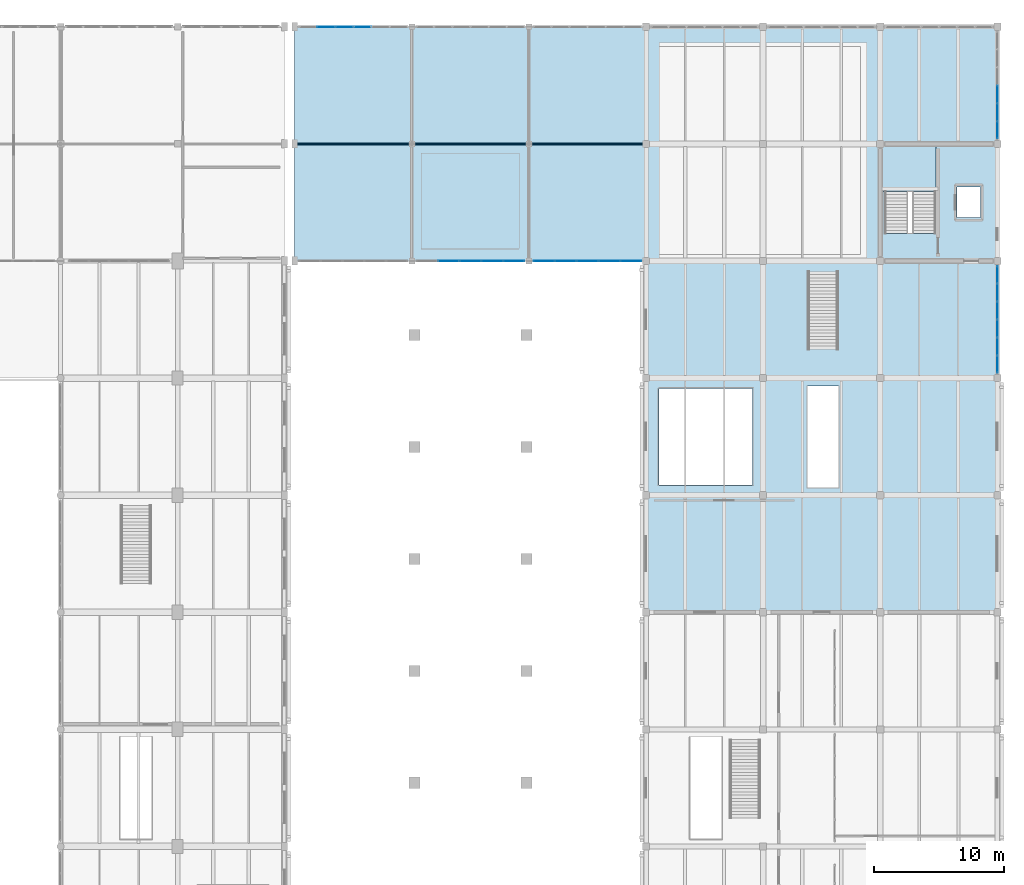
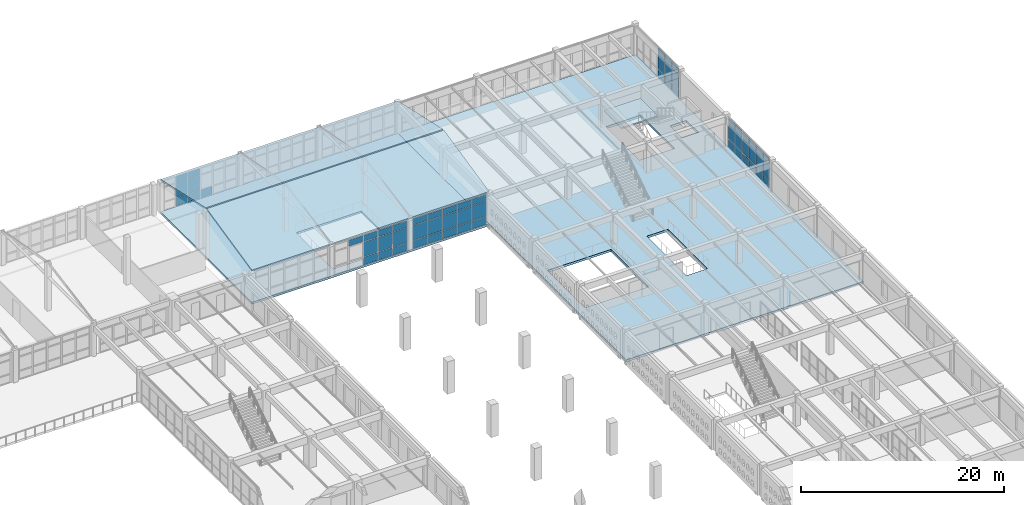
# One storey, part 121 of 156: 59 plates, 5 slabs, 6 elements without a shape of their own.
"""IFC4 building model written with IfcOpenShell, lengths in metres."""

from ifc_helpers import new_model, si_unit, direction, frame, origin, origin_2d, place, context, subcontext, project, spatial, polyline, rectangle, outline, extrude, material, layer, layer_set, type_object, element, aggregate, save


model = new_model("IFC4")

# Units and contexts
model_context = context("Model", 3, precision=1e-05, world=origin(), true_north=direction((0.0, 1.0)))
body_context = subcontext(model_context, "Body", "Model", "MODEL_VIEW")
ifc_project = project(units=[si_unit("LENGTHUNIT", "METRE"), si_unit("AREAUNIT", "SQUARE_METRE"), si_unit("VOLUMEUNIT", "CUBIC_METRE"), si_unit("PLANEANGLEUNIT", "RADIAN"), si_unit("MASSUNIT", "GRAM", prefix="KILO")], contexts=[model_context])

# Site, building, storey
site_placement = place(None, origin())
site = spatial("IfcSite", under=ifc_project, at=site_placement, CompositionType="ELEMENT")
building_placement = place(site_placement, origin())
building = spatial("IfcBuilding", under=site, at=building_placement, Name="Ornek Quay Market", CompositionType="ELEMENT")
storey_placement = place(building_placement, frame((0.0, 0.0, 4.5)))
storey = spatial("IfcBuildingStorey", under=building, at=storey_placement, Name="L01", CompositionType="ELEMENT", Elevation=4.5)

# Curtain wall, plates
ifc_material_1 = material(Name="Anodised bronze aluminium and triple low-e glass", Category="aluminium")
ifc_layer_1 = layer(ifc_material_1, 0.179931640625, Name="Anodised bronze aluminium and triple low-e glass", Category="aluminium")
ifc_layer_set_1 = layer_set([ifc_layer_1], Name="Anodised bronze aluminium and triple low-e glass")
curtain_wall_type_1 = type_object("IfcCurtainWallType", Name="CW-CONC-MOD1500", PredefinedType="USERDEFINED", material=ifc_layer_set_1)
curtain_wall_1_placement = place(storey_placement, origin())
curtain_wall_1 = element("IfcCurtainWall", 1, at=curtain_wall_1_placement, inside=storey, type_object=curtain_wall_type_1, Name="Curtain wall CW-033", ObjectType="CURTAIN WALL", PredefinedType="USERDEFINED")
ifc_material_2 = material(Name="Triple insulated low-e glass", Category="glass")
ifc_layer_2 = layer(ifc_material_2, 0.035888671875, Name="Triple insulated low-e glass", Category="glass")
ifc_layer_set_2 = layer_set([ifc_layer_2], Name="Triple insulated low-e glass")
plate_type_1 = type_object("IfcPlateType", Name="PL-CW-TRIPLE-36", PredefinedType="CURTAIN_PANEL", material=ifc_layer_set_2)
plate_1_placement = place(storey_placement, frame((128.39990234375, 110.0, 0.06005859375), z_axis=(0.0, 0.0, 1.0), x_axis=(1.0, 0.0, 0.0)))
plate_1 = element("IfcPlate", 2, at=plate_1_placement, type_object=plate_type_1, Name="CW-033 panel 2.1", PredefinedType="CURTAIN_PANEL", context=body_context, shape_type="SweptSolid", body=[
    extrude(rectangle(XDim=1.340087890625, YDim=0.035888671875, at=origin_2d()), origin(), (0.0, 0.0, 1.0), 0.9599609375),
])
plate_2_placement = place(storey_placement, frame((128.39990234375, 110.0, 1.080078125), z_axis=(0.0, 0.0, 1.0), x_axis=(1.0, 0.0, 0.0)))
plate_2 = element("IfcPlate", 3, at=plate_2_placement, type_object=plate_type_1, Name="CW-033 panel 2.2", PredefinedType="CURTAIN_PANEL", context=body_context, shape_type="SweptSolid", body=[
    extrude(rectangle(XDim=1.340087890625, YDim=0.035888671875, at=origin_2d()), origin(), (0.0, 0.0, 1.0), 1.75),
])
plate_3_placement = place(storey_placement, frame((128.39990234375, 110.0, 2.89013671875), z_axis=(0.0, 0.0, 1.0), x_axis=(1.0, 0.0, 0.0)))
plate_3 = element("IfcPlate", 4, at=plate_3_placement, type_object=plate_type_1, Name="CW-033 panel 2.3", PredefinedType="CURTAIN_PANEL", context=body_context, shape_type="SweptSolid", body=[
    extrude(rectangle(XDim=1.340087890625, YDim=0.035888671875, at=origin_2d()), origin(), (0.0, 0.0, 1.0), 0.760009765625),
])
plate_4_placement = place(storey_placement, frame((129.800048828125, 110.0, 0.06005859375), z_axis=(0.0, 0.0, 1.0), x_axis=(1.0, 0.0, 0.0)))
plate_4 = element("IfcPlate", 5, at=plate_4_placement, type_object=plate_type_1, Name="CW-033 panel 3.1", PredefinedType="CURTAIN_PANEL", context=body_context, shape_type="SweptSolid", body=[
    extrude(rectangle(XDim=1.340087890625, YDim=0.035888671875, at=origin_2d()), origin(), (0.0, 0.0, 1.0), 0.9599609375),
])
plate_5_placement = place(storey_placement, frame((129.800048828125, 110.0, 1.080078125), z_axis=(0.0, 0.0, 1.0), x_axis=(1.0, 0.0, 0.0)))
plate_5 = element("IfcPlate", 6, at=plate_5_placement, type_object=plate_type_1, Name="CW-033 panel 3.2", PredefinedType="CURTAIN_PANEL", context=body_context, shape_type="SweptSolid", body=[
    extrude(rectangle(XDim=1.340087890625, YDim=0.035888671875, at=origin_2d()), origin(), (0.0, 0.0, 1.0), 1.75),
])
plate_6_placement = place(storey_placement, frame((129.800048828125, 110.0, 2.89013671875), z_axis=(0.0, 0.0, 1.0), x_axis=(1.0, 0.0, 0.0)))
plate_6 = element("IfcPlate", 7, at=plate_6_placement, type_object=plate_type_1, Name="CW-033 panel 3.3", PredefinedType="CURTAIN_PANEL", context=body_context, shape_type="SweptSolid", body=[
    extrude(rectangle(XDim=1.340087890625, YDim=0.035888671875, at=origin_2d()), origin(), (0.0, 0.0, 1.0), 0.760009765625),
])
plate_7_placement = place(storey_placement, frame((131.199951171875, 110.0, 0.06005859375), z_axis=(0.0, 0.0, 1.0), x_axis=(1.0, 0.0, 0.0)))
plate_7 = element("IfcPlate", 8, at=plate_7_placement, type_object=plate_type_1, Name="CW-033 panel 4.1", PredefinedType="CURTAIN_PANEL", context=body_context, shape_type="SweptSolid", body=[
    extrude(rectangle(XDim=1.340087890625, YDim=0.035888671875, at=origin_2d()), origin(), (0.0, 0.0, 1.0), 0.9599609375),
])
aggregate(curtain_wall_1, [plate_1, plate_2, plate_3, plate_4, plate_5, plate_6, plate_7])

ifc_layer_3 = layer(ifc_material_1, 0.18994140625, Name="Anodised bronze aluminium and triple low-e glass", Category="aluminium")
ifc_layer_set_3 = layer_set([ifc_layer_3], Name="Anodised bronze aluminium and triple low-e glass")
curtain_wall_type_2 = type_object("IfcCurtainWallType", Name="CW-FC-MOD1500", PredefinedType="USERDEFINED", material=ifc_layer_set_3)
curtain_wall_2_placement = place(storey_placement, origin())
curtain_wall_2 = element("IfcCurtainWall", 9, at=curtain_wall_2_placement, inside=storey, type_object=curtain_wall_type_2, Name="Curtain wall CW-086", ObjectType="CURTAIN WALL", PredefinedType="USERDEFINED")
plate_8_placement = place(storey_placement, frame((180.0, 84.057861328125, 0.06494140625), z_axis=(0.0, 0.0, 1.0), x_axis=(0.0, 1.0, 0.0)))
plate_8 = element("IfcPlate", 10, at=plate_8_placement, type_object=plate_type_1, Name="CW-086 panel 1.1", PredefinedType="CURTAIN_PANEL", context=body_context, shape_type="SweptSolid", body=[
    extrude(rectangle(XDim=1.285888671875, YDim=0.035888671875, at=origin_2d()), origin(), (0.0, 0.0, 1.0), 0.952392578125),
])
plate_9_placement = place(storey_placement, frame((180.0, 84.057861328125, 1.08251953125), z_axis=(0.0, 0.0, 1.0), x_axis=(0.0, 1.0, 0.0)))
plate_9 = element("IfcPlate", 11, at=plate_9_placement, type_object=plate_type_1, Name="CW-086 panel 1.2", PredefinedType="CURTAIN_PANEL", context=body_context, shape_type="SweptSolid", body=[
    extrude(rectangle(XDim=1.285888671875, YDim=0.035888671875, at=origin_2d()), origin(), (0.0, 0.0, 1.0), 1.6650390625),
])
plate_10_placement = place(storey_placement, frame((180.0, 84.057861328125, 2.8125), z_axis=(0.0, 0.0, 1.0), x_axis=(0.0, 1.0, 0.0)))
plate_10 = element("IfcPlate", 12, at=plate_10_placement, type_object=plate_type_1, Name="CW-086 panel 1.3", PredefinedType="CURTAIN_PANEL", context=body_context, shape_type="SweptSolid", body=[
    extrude(rectangle(XDim=1.285888671875, YDim=0.035888671875, at=origin_2d()), origin(), (0.0, 0.0, 1.0), 0.75244140625),
])
plate_11_placement = place(storey_placement, frame((180.0, 85.425048828125, 0.06494140625), z_axis=(0.0, 0.0, 1.0), x_axis=(0.0, 1.0, 0.0)))
plate_11 = element("IfcPlate", 13, at=plate_11_placement, type_object=plate_type_1, Name="CW-086 panel 2.1", PredefinedType="CURTAIN_PANEL", context=body_context, shape_type="SweptSolid", body=[
    extrude(rectangle(XDim=1.318359375, YDim=0.035888671875, at=origin_2d()), origin(), (0.0, 0.0, 1.0), 0.952392578125),
])
plate_12_placement = place(storey_placement, frame((180.0, 85.425048828125, 1.08251953125), z_axis=(0.0, 0.0, 1.0), x_axis=(0.0, 1.0, 0.0)))
plate_12 = element("IfcPlate", 14, at=plate_12_placement, type_object=plate_type_1, Name="CW-086 panel 2.2", PredefinedType="CURTAIN_PANEL", context=body_context, shape_type="SweptSolid", body=[
    extrude(rectangle(XDim=1.318359375, YDim=0.035888671875, at=origin_2d()), origin(), (0.0, 0.0, 1.0), 1.6650390625),
])
plate_13_placement = place(storey_placement, frame((180.0, 85.425048828125, 2.8125), z_axis=(0.0, 0.0, 1.0), x_axis=(0.0, 1.0, 0.0)))
plate_13 = element("IfcPlate", 15, at=plate_13_placement, type_object=plate_type_1, Name="CW-086 panel 2.3", PredefinedType="CURTAIN_PANEL", context=body_context, shape_type="SweptSolid", body=[
    extrude(rectangle(XDim=1.318359375, YDim=0.035888671875, at=origin_2d()), origin(), (0.0, 0.0, 1.0), 0.75244140625),
])
plate_14_placement = place(storey_placement, frame((180.0, 86.808349609375, 0.06494140625), z_axis=(0.0, 0.0, 1.0), x_axis=(0.0, 1.0, 0.0)))
plate_14 = element("IfcPlate", 16, at=plate_14_placement, type_object=plate_type_1, Name="CW-086 panel 3.1", PredefinedType="CURTAIN_PANEL", context=body_context, shape_type="SweptSolid", body=[
    extrude(rectangle(XDim=1.318359375, YDim=0.035888671875, at=origin_2d()), origin(), (0.0, 0.0, 1.0), 0.952392578125),
])
plate_15_placement = place(storey_placement, frame((180.0, 86.808349609375, 1.08251953125), z_axis=(0.0, 0.0, 1.0), x_axis=(0.0, 1.0, 0.0)))
plate_15 = element("IfcPlate", 17, at=plate_15_placement, type_object=plate_type_1, Name="CW-086 panel 3.2", PredefinedType="CURTAIN_PANEL", context=body_context, shape_type="SweptSolid", body=[
    extrude(rectangle(XDim=1.318359375, YDim=0.035888671875, at=origin_2d()), origin(), (0.0, 0.0, 1.0), 1.6650390625),
])
plate_16_placement = place(storey_placement, frame((180.0, 86.808349609375, 2.8125), z_axis=(0.0, 0.0, 1.0), x_axis=(0.0, 1.0, 0.0)))
plate_16 = element("IfcPlate", 18, at=plate_16_placement, type_object=plate_type_1, Name="CW-086 panel 3.3", PredefinedType="CURTAIN_PANEL", context=body_context, shape_type="SweptSolid", body=[
    extrude(rectangle(XDim=1.318359375, YDim=0.035888671875, at=origin_2d()), origin(), (0.0, 0.0, 1.0), 0.75244140625),
])
plate_17_placement = place(storey_placement, frame((180.0, 88.191650390625, 0.06494140625), z_axis=(0.0, 0.0, 1.0), x_axis=(0.0, 1.0, 0.0)))
plate_17 = element("IfcPlate", 19, at=plate_17_placement, type_object=plate_type_1, Name="CW-086 panel 4.1", PredefinedType="CURTAIN_PANEL", context=body_context, shape_type="SweptSolid", body=[
    extrude(rectangle(XDim=1.318359375, YDim=0.035888671875, at=origin_2d()), origin(), (0.0, 0.0, 1.0), 0.952392578125),
])
plate_18_placement = place(storey_placement, frame((180.0, 88.191650390625, 1.08251953125), z_axis=(0.0, 0.0, 1.0), x_axis=(0.0, 1.0, 0.0)))
plate_18 = element("IfcPlate", 20, at=plate_18_placement, type_object=plate_type_1, Name="CW-086 panel 4.2", PredefinedType="CURTAIN_PANEL", context=body_context, shape_type="SweptSolid", body=[
    extrude(rectangle(XDim=1.318359375, YDim=0.035888671875, at=origin_2d()), origin(), (0.0, 0.0, 1.0), 1.6650390625),
])
plate_19_placement = place(storey_placement, frame((180.0, 88.191650390625, 2.8125), z_axis=(0.0, 0.0, 1.0), x_axis=(0.0, 1.0, 0.0)))
plate_19 = element("IfcPlate", 21, at=plate_19_placement, type_object=plate_type_1, Name="CW-086 panel 4.3", PredefinedType="CURTAIN_PANEL", context=body_context, shape_type="SweptSolid", body=[
    extrude(rectangle(XDim=1.318359375, YDim=0.035888671875, at=origin_2d()), origin(), (0.0, 0.0, 1.0), 0.75244140625),
])
plate_20_placement = place(storey_placement, frame((180.0, 89.574951171875, 0.06494140625), z_axis=(0.0, 0.0, 1.0), x_axis=(0.0, 1.0, 0.0)))
plate_20 = element("IfcPlate", 22, at=plate_20_placement, type_object=plate_type_1, Name="CW-086 panel 5.1", PredefinedType="CURTAIN_PANEL", context=body_context, shape_type="SweptSolid", body=[
    extrude(rectangle(XDim=1.318359375, YDim=0.035888671875, at=origin_2d()), origin(), (0.0, 0.0, 1.0), 0.952392578125),
])
plate_21_placement = place(storey_placement, frame((180.0, 89.574951171875, 1.08251953125), z_axis=(0.0, 0.0, 1.0), x_axis=(0.0, 1.0, 0.0)))
plate_21 = element("IfcPlate", 23, at=plate_21_placement, type_object=plate_type_1, Name="CW-086 panel 5.2", PredefinedType="CURTAIN_PANEL", context=body_context, shape_type="SweptSolid", body=[
    extrude(rectangle(XDim=1.318359375, YDim=0.035888671875, at=origin_2d()), origin(), (0.0, 0.0, 1.0), 1.6650390625),
])
plate_22_placement = place(storey_placement, frame((180.0, 89.574951171875, 2.8125), z_axis=(0.0, 0.0, 1.0), x_axis=(0.0, 1.0, 0.0)))
plate_22 = element("IfcPlate", 24, at=plate_22_placement, type_object=plate_type_1, Name="CW-086 panel 5.3", PredefinedType="CURTAIN_PANEL", context=body_context, shape_type="SweptSolid", body=[
    extrude(rectangle(XDim=1.318359375, YDim=0.035888671875, at=origin_2d()), origin(), (0.0, 0.0, 1.0), 0.75244140625),
])
plate_23_placement = place(storey_placement, frame((180.0, 90.942138671875, 0.06494140625), z_axis=(0.0, 0.0, 1.0), x_axis=(0.0, 1.0, 0.0)))
plate_23 = element("IfcPlate", 25, at=plate_23_placement, type_object=plate_type_1, Name="CW-086 panel 6.1", PredefinedType="CURTAIN_PANEL", context=body_context, shape_type="SweptSolid", body=[
    extrude(rectangle(XDim=1.285888671875, YDim=0.035888671875, at=origin_2d()), origin(), (0.0, 0.0, 1.0), 0.952392578125),
])
plate_24_placement = place(storey_placement, frame((180.0, 90.942138671875, 1.08251953125), z_axis=(0.0, 0.0, 1.0), x_axis=(0.0, 1.0, 0.0)))
plate_24 = element("IfcPlate", 26, at=plate_24_placement, type_object=plate_type_1, Name="CW-086 panel 6.2", PredefinedType="CURTAIN_PANEL", context=body_context, shape_type="SweptSolid", body=[
    extrude(rectangle(XDim=1.285888671875, YDim=0.035888671875, at=origin_2d()), origin(), (0.0, 0.0, 1.0), 1.6650390625),
])
plate_25_placement = place(storey_placement, frame((180.0, 90.942138671875, 2.8125), z_axis=(0.0, 0.0, 1.0), x_axis=(0.0, 1.0, 0.0)))
plate_25 = element("IfcPlate", 27, at=plate_25_placement, type_object=plate_type_1, Name="CW-086 panel 6.3", PredefinedType="CURTAIN_PANEL", context=body_context, shape_type="SweptSolid", body=[
    extrude(rectangle(XDim=1.285888671875, YDim=0.035888671875, at=origin_2d()), origin(), (0.0, 0.0, 1.0), 0.75244140625),
])
aggregate(curtain_wall_2, [plate_8, plate_9, plate_10, plate_11, plate_12, plate_13, plate_14, plate_15, plate_16, plate_17, plate_18, plate_19, plate_20, plate_21, plate_22, plate_23, plate_24, plate_25])

curtain_wall_3_placement = place(storey_placement, origin())
curtain_wall_3 = element("IfcCurtainWall", 28, at=curtain_wall_3_placement, inside=storey, type_object=curtain_wall_type_2, Name="Curtain wall CW-087", ObjectType="CURTAIN WALL", PredefinedType="USERDEFINED")
plate_26_placement = place(storey_placement, frame((180.0, 102.057861328125, 0.06494140625), z_axis=(0.0, 0.0, 1.0), x_axis=(0.0, 1.0, 0.0)))
plate_26 = element("IfcPlate", 29, at=plate_26_placement, type_object=plate_type_1, Name="CW-087 panel 1.1", PredefinedType="CURTAIN_PANEL", context=body_context, shape_type="SweptSolid", body=[
    extrude(rectangle(XDim=1.285888671875, YDim=0.035888671875, at=origin_2d()), origin(), (0.0, 0.0, 1.0), 0.952392578125),
])
plate_27_placement = place(storey_placement, frame((180.0, 102.057861328125, 1.08251953125), z_axis=(0.0, 0.0, 1.0), x_axis=(0.0, 1.0, 0.0)))
plate_27 = element("IfcPlate", 30, at=plate_27_placement, type_object=plate_type_1, Name="CW-087 panel 1.2", PredefinedType="CURTAIN_PANEL", context=body_context, shape_type="SweptSolid", body=[
    extrude(rectangle(XDim=1.285888671875, YDim=0.035888671875, at=origin_2d()), origin(), (0.0, 0.0, 1.0), 1.6650390625),
])
plate_28_placement = place(storey_placement, frame((180.0, 102.057861328125, 2.8125), z_axis=(0.0, 0.0, 1.0), x_axis=(0.0, 1.0, 0.0)))
plate_28 = element("IfcPlate", 31, at=plate_28_placement, type_object=plate_type_1, Name="CW-087 panel 1.3", PredefinedType="CURTAIN_PANEL", context=body_context, shape_type="SweptSolid", body=[
    extrude(rectangle(XDim=1.285888671875, YDim=0.035888671875, at=origin_2d()), origin(), (0.0, 0.0, 1.0), 0.75244140625),
])
plate_29_placement = place(storey_placement, frame((180.0, 103.425048828125, 0.06494140625), z_axis=(0.0, 0.0, 1.0), x_axis=(0.0, 1.0, 0.0)))
plate_29 = element("IfcPlate", 32, at=plate_29_placement, type_object=plate_type_1, Name="CW-087 panel 2.1", PredefinedType="CURTAIN_PANEL", context=body_context, shape_type="SweptSolid", body=[
    extrude(rectangle(XDim=1.318359375, YDim=0.035888671875, at=origin_2d()), origin(), (0.0, 0.0, 1.0), 0.952392578125),
])
plate_30_placement = place(storey_placement, frame((180.0, 103.425048828125, 1.08251953125), z_axis=(0.0, 0.0, 1.0), x_axis=(0.0, 1.0, 0.0)))
plate_30 = element("IfcPlate", 33, at=plate_30_placement, type_object=plate_type_1, Name="CW-087 panel 2.2", PredefinedType="CURTAIN_PANEL", context=body_context, shape_type="SweptSolid", body=[
    extrude(rectangle(XDim=1.318359375, YDim=0.035888671875, at=origin_2d()), origin(), (0.0, 0.0, 1.0), 1.6650390625),
])
plate_31_placement = place(storey_placement, frame((180.0, 103.425048828125, 2.8125), z_axis=(0.0, 0.0, 1.0), x_axis=(0.0, 1.0, 0.0)))
plate_31 = element("IfcPlate", 34, at=plate_31_placement, type_object=plate_type_1, Name="CW-087 panel 2.3", PredefinedType="CURTAIN_PANEL", context=body_context, shape_type="SweptSolid", body=[
    extrude(rectangle(XDim=1.318359375, YDim=0.035888671875, at=origin_2d()), origin(), (0.0, 0.0, 1.0), 0.75244140625),
])
plate_32_placement = place(storey_placement, frame((180.0, 104.808349609375, 0.06494140625), z_axis=(0.0, 0.0, 1.0), x_axis=(0.0, 1.0, 0.0)))
plate_32 = element("IfcPlate", 35, at=plate_32_placement, type_object=plate_type_1, Name="CW-087 panel 3.1", PredefinedType="CURTAIN_PANEL", context=body_context, shape_type="SweptSolid", body=[
    extrude(rectangle(XDim=1.318359375, YDim=0.035888671875, at=origin_2d()), origin(), (0.0, 0.0, 1.0), 0.952392578125),
])
plate_33_placement = place(storey_placement, frame((180.0, 104.808349609375, 1.08251953125), z_axis=(0.0, 0.0, 1.0), x_axis=(0.0, 1.0, 0.0)))
plate_33 = element("IfcPlate", 36, at=plate_33_placement, type_object=plate_type_1, Name="CW-087 panel 3.2", PredefinedType="CURTAIN_PANEL", context=body_context, shape_type="SweptSolid", body=[
    extrude(rectangle(XDim=1.318359375, YDim=0.035888671875, at=origin_2d()), origin(), (0.0, 0.0, 1.0), 1.6650390625),
])
plate_34_placement = place(storey_placement, frame((180.0, 104.808349609375, 2.8125), z_axis=(0.0, 0.0, 1.0), x_axis=(0.0, 1.0, 0.0)))
plate_34 = element("IfcPlate", 37, at=plate_34_placement, type_object=plate_type_1, Name="CW-087 panel 3.3", PredefinedType="CURTAIN_PANEL", context=body_context, shape_type="SweptSolid", body=[
    extrude(rectangle(XDim=1.318359375, YDim=0.035888671875, at=origin_2d()), origin(), (0.0, 0.0, 1.0), 0.75244140625),
])
aggregate(curtain_wall_3, [plate_26, plate_27, plate_28, plate_29, plate_30, plate_31, plate_32, plate_33, plate_34])

ifc_layer_4 = layer(ifc_material_1, 0.199951171875, Name="Anodised bronze aluminium and triple low-e glass", Category="aluminium")
ifc_layer_set_4 = layer_set([ifc_layer_4], Name="Anodised bronze aluminium and triple low-e glass")
curtain_wall_type_3 = type_object("IfcCurtainWallType", Name="CW-CONC-MOD1800", PredefinedType="USERDEFINED", material=ifc_layer_set_4)
curtain_wall_4_placement = place(storey_placement, origin())
curtain_wall_4 = element("IfcCurtainWall", 38, at=curtain_wall_4_placement, inside=storey, type_object=curtain_wall_type_3, Name="Curtain wall CW-038", ObjectType="CURTAIN WALL", PredefinedType="USERDEFINED")
ifc_layer_5 = layer(ifc_material_2, 0.0419921875, Name="Triple insulated low-e glass", Category="glass")
ifc_layer_set_5 = layer_set([ifc_layer_5], Name="Triple insulated low-e glass")
plate_type_2 = type_object("IfcPlateType", Name="PL-CW-TRIPLE-42", PredefinedType="CURTAIN_PANEL", material=ifc_layer_set_5)
plate_35_placement = place(storey_placement, frame((137.820068359375, 92.0, 2.892578125), z_axis=(0.0, 0.0, 1.0), x_axis=(1.0, 0.0, 0.0)))
plate_35 = element("IfcPlate", 39, at=plate_35_placement, type_object=plate_type_2, Name="CW-038 panel 2.3", PredefinedType="CURTAIN_PANEL", context=body_context, shape_type="SweptSolid", body=[
    extrude(rectangle(XDim=1.614990234375, YDim=0.0419921875, at=origin_2d()), origin(), (0.0, 0.0, 1.0), 0.75244140625),
])
plate_36_placement = place(storey_placement, frame((139.5, 92.0, 0.06494140625), z_axis=(0.0, 0.0, 1.0), x_axis=(1.0, 0.0, 0.0)))
plate_36 = element("IfcPlate", 40, at=plate_36_placement, type_object=plate_type_2, Name="CW-038 panel 3.1", PredefinedType="CURTAIN_PANEL", context=body_context, shape_type="SweptSolid", body=[
    extrude(rectangle(XDim=1.614990234375, YDim=0.0419921875, at=origin_2d()), origin(), (0.0, 0.0, 1.0), 0.952392578125),
])
plate_37_placement = place(storey_placement, frame((139.5, 92.0, 1.08251953125), z_axis=(0.0, 0.0, 1.0), x_axis=(1.0, 0.0, 0.0)))
plate_37 = element("IfcPlate", 41, at=plate_37_placement, type_object=plate_type_2, Name="CW-038 panel 3.2", PredefinedType="CURTAIN_PANEL", context=body_context, shape_type="SweptSolid", body=[
    extrude(rectangle(XDim=1.614990234375, YDim=0.0419921875, at=origin_2d()), origin(), (0.0, 0.0, 1.0), 1.7451171875),
])
plate_38_placement = place(storey_placement, frame((139.5, 92.0, 2.892578125), z_axis=(0.0, 0.0, 1.0), x_axis=(1.0, 0.0, 0.0)))
plate_38 = element("IfcPlate", 42, at=plate_38_placement, type_object=plate_type_2, Name="CW-038 panel 3.3", PredefinedType="CURTAIN_PANEL", context=body_context, shape_type="SweptSolid", body=[
    extrude(rectangle(XDim=1.614990234375, YDim=0.0419921875, at=origin_2d()), origin(), (0.0, 0.0, 1.0), 0.75244140625),
])
plate_39_placement = place(storey_placement, frame((141.179931640625, 92.0, 0.06494140625), z_axis=(0.0, 0.0, 1.0), x_axis=(1.0, 0.0, 0.0)))
plate_39 = element("IfcPlate", 43, at=plate_39_placement, type_object=plate_type_2, Name="CW-038 panel 4.1", PredefinedType="CURTAIN_PANEL", context=body_context, shape_type="SweptSolid", body=[
    extrude(rectangle(XDim=1.614990234375, YDim=0.0419921875, at=origin_2d()), origin(), (0.0, 0.0, 1.0), 0.952392578125),
])
plate_40_placement = place(storey_placement, frame((141.179931640625, 92.0, 1.08251953125), z_axis=(0.0, 0.0, 1.0), x_axis=(1.0, 0.0, 0.0)))
plate_40 = element("IfcPlate", 44, at=plate_40_placement, type_object=plate_type_2, Name="CW-038 panel 4.2", PredefinedType="CURTAIN_PANEL", context=body_context, shape_type="SweptSolid", body=[
    extrude(rectangle(XDim=1.614990234375, YDim=0.0419921875, at=origin_2d()), origin(), (0.0, 0.0, 1.0), 1.7451171875),
])
plate_41_placement = place(storey_placement, frame((141.179931640625, 92.0, 2.892578125), z_axis=(0.0, 0.0, 1.0), x_axis=(1.0, 0.0, 0.0)))
plate_41 = element("IfcPlate", 45, at=plate_41_placement, type_object=plate_type_2, Name="CW-038 panel 4.3", PredefinedType="CURTAIN_PANEL", context=body_context, shape_type="SweptSolid", body=[
    extrude(rectangle(XDim=1.614990234375, YDim=0.0419921875, at=origin_2d()), origin(), (0.0, 0.0, 1.0), 0.75244140625),
])
plate_42_placement = place(storey_placement, frame((142.84375, 92.0, 0.06494140625), z_axis=(0.0, 0.0, 1.0), x_axis=(1.0, 0.0, 0.0)))
plate_42 = element("IfcPlate", 46, at=plate_42_placement, type_object=plate_type_2, Name="CW-038 panel 5.1", PredefinedType="CURTAIN_PANEL", context=body_context, shape_type="SweptSolid", body=[
    extrude(rectangle(XDim=1.58251953125, YDim=0.0419921875, at=origin_2d()), origin(), (0.0, 0.0, 1.0), 0.952392578125),
])
plate_43_placement = place(storey_placement, frame((142.84375, 92.0, 1.08251953125), z_axis=(0.0, 0.0, 1.0), x_axis=(1.0, 0.0, 0.0)))
plate_43 = element("IfcPlate", 47, at=plate_43_placement, type_object=plate_type_2, Name="CW-038 panel 5.2", PredefinedType="CURTAIN_PANEL", context=body_context, shape_type="SweptSolid", body=[
    extrude(rectangle(XDim=1.58251953125, YDim=0.0419921875, at=origin_2d()), origin(), (0.0, 0.0, 1.0), 1.7451171875),
])
plate_44_placement = place(storey_placement, frame((142.84375, 92.0, 2.892578125), z_axis=(0.0, 0.0, 1.0), x_axis=(1.0, 0.0, 0.0)))
plate_44 = element("IfcPlate", 48, at=plate_44_placement, type_object=plate_type_2, Name="CW-038 panel 5.3", PredefinedType="CURTAIN_PANEL", context=body_context, shape_type="SweptSolid", body=[
    extrude(rectangle(XDim=1.58251953125, YDim=0.0419921875, at=origin_2d()), origin(), (0.0, 0.0, 1.0), 0.75244140625),
])
aggregate(curtain_wall_4, [plate_35, plate_36, plate_37, plate_38, plate_39, plate_40, plate_41, plate_42, plate_43, plate_44])

curtain_wall_5_placement = place(storey_placement, origin())
curtain_wall_5 = element("IfcCurtainWall", 49, at=curtain_wall_5_placement, inside=storey, type_object=curtain_wall_type_3, Name="Curtain wall CW-042", ObjectType="CURTAIN WALL", PredefinedType="USERDEFINED")
plate_45_placement = place(storey_placement, frame((145.15625, 92.0, 0.06494140625), z_axis=(0.0, 0.0, 1.0), x_axis=(1.0, 0.0, 0.0)))
plate_45 = element("IfcPlate", 50, at=plate_45_placement, type_object=plate_type_2, Name="CW-042 panel 1.1", PredefinedType="CURTAIN_PANEL", context=body_context, shape_type="SweptSolid", body=[
    extrude(rectangle(XDim=1.58251953125, YDim=0.0419921875, at=origin_2d()), origin(), (0.0, 0.0, 1.0), 0.952392578125),
])
plate_46_placement = place(storey_placement, frame((145.15625, 92.0, 1.08251953125), z_axis=(0.0, 0.0, 1.0), x_axis=(1.0, 0.0, 0.0)))
plate_46 = element("IfcPlate", 51, at=plate_46_placement, type_object=plate_type_2, Name="CW-042 panel 1.2", PredefinedType="CURTAIN_PANEL", context=body_context, shape_type="SweptSolid", body=[
    extrude(rectangle(XDim=1.58251953125, YDim=0.0419921875, at=origin_2d()), origin(), (0.0, 0.0, 1.0), 1.7451171875),
])
plate_47_placement = place(storey_placement, frame((145.15625, 92.0, 2.892578125), z_axis=(0.0, 0.0, 1.0), x_axis=(1.0, 0.0, 0.0)))
plate_47 = element("IfcPlate", 52, at=plate_47_placement, type_object=plate_type_2, Name="CW-042 panel 1.3", PredefinedType="CURTAIN_PANEL", context=body_context, shape_type="SweptSolid", body=[
    extrude(rectangle(XDim=1.58251953125, YDim=0.0419921875, at=origin_2d()), origin(), (0.0, 0.0, 1.0), 0.75244140625),
])
plate_48_placement = place(storey_placement, frame((146.820068359375, 92.0, 0.06494140625), z_axis=(0.0, 0.0, 1.0), x_axis=(1.0, 0.0, 0.0)))
plate_48 = element("IfcPlate", 53, at=plate_48_placement, type_object=plate_type_2, Name="CW-042 panel 2.1", PredefinedType="CURTAIN_PANEL", context=body_context, shape_type="SweptSolid", body=[
    extrude(rectangle(XDim=1.614990234375, YDim=0.0419921875, at=origin_2d()), origin(), (0.0, 0.0, 1.0), 0.952392578125),
])
plate_49_placement = place(storey_placement, frame((146.820068359375, 92.0, 1.08251953125), z_axis=(0.0, 0.0, 1.0), x_axis=(1.0, 0.0, 0.0)))
plate_49 = element("IfcPlate", 54, at=plate_49_placement, type_object=plate_type_2, Name="CW-042 panel 2.2", PredefinedType="CURTAIN_PANEL", context=body_context, shape_type="SweptSolid", body=[
    extrude(rectangle(XDim=1.614990234375, YDim=0.0419921875, at=origin_2d()), origin(), (0.0, 0.0, 1.0), 1.7451171875),
])
plate_50_placement = place(storey_placement, frame((146.820068359375, 92.0, 2.892578125), z_axis=(0.0, 0.0, 1.0), x_axis=(1.0, 0.0, 0.0)))
plate_50 = element("IfcPlate", 55, at=plate_50_placement, type_object=plate_type_2, Name="CW-042 panel 2.3", PredefinedType="CURTAIN_PANEL", context=body_context, shape_type="SweptSolid", body=[
    extrude(rectangle(XDim=1.614990234375, YDim=0.0419921875, at=origin_2d()), origin(), (0.0, 0.0, 1.0), 0.75244140625),
])
plate_51_placement = place(storey_placement, frame((148.5, 92.0, 0.06494140625), z_axis=(0.0, 0.0, 1.0), x_axis=(1.0, 0.0, 0.0)))
plate_51 = element("IfcPlate", 56, at=plate_51_placement, type_object=plate_type_2, Name="CW-042 panel 3.1", PredefinedType="CURTAIN_PANEL", context=body_context, shape_type="SweptSolid", body=[
    extrude(rectangle(XDim=1.614990234375, YDim=0.0419921875, at=origin_2d()), origin(), (0.0, 0.0, 1.0), 0.952392578125),
])
plate_52_placement = place(storey_placement, frame((148.5, 92.0, 1.08251953125), z_axis=(0.0, 0.0, 1.0), x_axis=(1.0, 0.0, 0.0)))
plate_52 = element("IfcPlate", 57, at=plate_52_placement, type_object=plate_type_2, Name="CW-042 panel 3.2", PredefinedType="CURTAIN_PANEL", context=body_context, shape_type="SweptSolid", body=[
    extrude(rectangle(XDim=1.614990234375, YDim=0.0419921875, at=origin_2d()), origin(), (0.0, 0.0, 1.0), 1.7451171875),
])
plate_53_placement = place(storey_placement, frame((148.5, 92.0, 2.892578125), z_axis=(0.0, 0.0, 1.0), x_axis=(1.0, 0.0, 0.0)))
plate_53 = element("IfcPlate", 58, at=plate_53_placement, type_object=plate_type_2, Name="CW-042 panel 3.3", PredefinedType="CURTAIN_PANEL", context=body_context, shape_type="SweptSolid", body=[
    extrude(rectangle(XDim=1.614990234375, YDim=0.0419921875, at=origin_2d()), origin(), (0.0, 0.0, 1.0), 0.75244140625),
])
plate_54_placement = place(storey_placement, frame((150.179931640625, 92.0, 0.06494140625), z_axis=(0.0, 0.0, 1.0), x_axis=(1.0, 0.0, 0.0)))
plate_54 = element("IfcPlate", 59, at=plate_54_placement, type_object=plate_type_2, Name="CW-042 panel 4.1", PredefinedType="CURTAIN_PANEL", context=body_context, shape_type="SweptSolid", body=[
    extrude(rectangle(XDim=1.614990234375, YDim=0.0419921875, at=origin_2d()), origin(), (0.0, 0.0, 1.0), 0.952392578125),
])
plate_55_placement = place(storey_placement, frame((150.179931640625, 92.0, 1.08251953125), z_axis=(0.0, 0.0, 1.0), x_axis=(1.0, 0.0, 0.0)))
plate_55 = element("IfcPlate", 60, at=plate_55_placement, type_object=plate_type_2, Name="CW-042 panel 4.2", PredefinedType="CURTAIN_PANEL", context=body_context, shape_type="SweptSolid", body=[
    extrude(rectangle(XDim=1.614990234375, YDim=0.0419921875, at=origin_2d()), origin(), (0.0, 0.0, 1.0), 1.7451171875),
])
plate_56_placement = place(storey_placement, frame((150.179931640625, 92.0, 2.892578125), z_axis=(0.0, 0.0, 1.0), x_axis=(1.0, 0.0, 0.0)))
plate_56 = element("IfcPlate", 61, at=plate_56_placement, type_object=plate_type_2, Name="CW-042 panel 4.3", PredefinedType="CURTAIN_PANEL", context=body_context, shape_type="SweptSolid", body=[
    extrude(rectangle(XDim=1.614990234375, YDim=0.0419921875, at=origin_2d()), origin(), (0.0, 0.0, 1.0), 0.75244140625),
])
plate_57_placement = place(storey_placement, frame((151.84375, 92.0, 0.06494140625), z_axis=(0.0, 0.0, 1.0), x_axis=(1.0, 0.0, 0.0)))
plate_57 = element("IfcPlate", 62, at=plate_57_placement, type_object=plate_type_2, Name="CW-042 panel 5.1", PredefinedType="CURTAIN_PANEL", context=body_context, shape_type="SweptSolid", body=[
    extrude(rectangle(XDim=1.58251953125, YDim=0.0419921875, at=origin_2d()), origin(), (0.0, 0.0, 1.0), 0.952392578125),
])
plate_58_placement = place(storey_placement, frame((151.84375, 92.0, 1.08251953125), z_axis=(0.0, 0.0, 1.0), x_axis=(1.0, 0.0, 0.0)))
plate_58 = element("IfcPlate", 63, at=plate_58_placement, type_object=plate_type_2, Name="CW-042 panel 5.2", PredefinedType="CURTAIN_PANEL", context=body_context, shape_type="SweptSolid", body=[
    extrude(rectangle(XDim=1.58251953125, YDim=0.0419921875, at=origin_2d()), origin(), (0.0, 0.0, 1.0), 1.7451171875),
])
plate_59_placement = place(storey_placement, frame((151.84375, 92.0, 2.892578125), z_axis=(0.0, 0.0, 1.0), x_axis=(1.0, 0.0, 0.0)))
plate_59 = element("IfcPlate", 64, at=plate_59_placement, type_object=plate_type_2, Name="CW-042 panel 5.3", PredefinedType="CURTAIN_PANEL", context=body_context, shape_type="SweptSolid", body=[
    extrude(rectangle(XDim=1.58251953125, YDim=0.0419921875, at=origin_2d()), origin(), (0.0, 0.0, 1.0), 0.75244140625),
])
aggregate(curtain_wall_5, [plate_45, plate_46, plate_47, plate_48, plate_49, plate_50, plate_51, plate_52, plate_53, plate_54, plate_55, plate_56, plate_57, plate_58, plate_59])

# Slabs
ifc_material_3 = material(Name="Concrete C35/45", Category="concrete")
ifc_layer_6 = layer(ifc_material_3, 0.22998046875, Name="Concrete C35/45", Category="concrete")
ifc_layer_set_6 = layer_set([ifc_layer_6], Name="Concrete C35/45")
slab_type_1 = type_object("IfcSlabType", Name="SL-FLR-CONC-230", PredefinedType="FLOOR", material=ifc_layer_set_6)
slab_1_placement = place(storey_placement, frame((0.0, 0.0, -0.22998046875)))
element("IfcSlab", 65, at=slab_1_placement, inside=storey, type_object=slab_type_1, Name="Slab S-034 (L01)", PredefinedType="FLOOR", context=body_context, shape_type="SweptSolid", body=[
    extrude(outline(polyline([(126.0, 92.0), (153.0, 92.0), (153.0, 110.0), (126.0, 110.0), (126.0, 92.0)]), holes=[polyline([(135.800048828125, 100.199951171875), (143.199951171875, 100.199951171875), (143.199951171875, 93.0), (135.800048828125, 93.0), (135.800048828125, 100.199951171875)])]), origin(), (0.0, 0.0, 1.0), 0.22998046875),
])
ifc_layer_7 = layer(ifc_material_3, 0.27001953125, Name="Concrete C35/45", Category="concrete")
ifc_layer_set_7 = layer_set([ifc_layer_7], Name="Concrete C35/45")
slab_type_2 = type_object("IfcSlabType", Name="SL-FLR-FC-270", PredefinedType="FLOOR", material=ifc_layer_set_7)
slab_2_placement = place(storey_placement, frame((0.0, 0.0, -0.27001953125)))
element("IfcSlab", 66, at=slab_2_placement, inside=storey, type_object=slab_type_2, Name="Slab S-036 (L01)", PredefinedType="FLOOR", context=body_context, shape_type="SweptSolid", body=[
    extrude(outline(polyline([(153.0, 65.0), (180.0, 65.0), (180.0, 110.0), (153.0, 110.0), (153.0, 65.0)]), holes=[polyline([(161.199951171875, 74.800048828125), (154.0, 74.800048828125), (154.0, 82.199951171875), (161.199951171875, 82.199951171875), (161.199951171875, 74.800048828125)]), polyline([(167.800048828125, 74.60009765625), (165.39990234375, 74.60009765625), (165.39990234375, 82.39990234375), (167.800048828125, 82.39990234375), (167.800048828125, 74.60009765625)]), polyline([(178.719970703125, 95.330078125), (176.8798828125, 95.330078125), (176.8798828125, 97.669921875), (178.719970703125, 97.669921875), (178.719970703125, 95.330078125)]), polyline([(175.300048828125, 94.10009765625), (171.300048828125, 94.10009765625), (171.300048828125, 100.699951171875), (175.300048828125, 100.699951171875), (175.300048828125, 94.10009765625)])]), origin(), (0.0, 0.0, 1.0), 0.27001953125),
])

# Stair, slab
ifc_material_4 = material(Name="Precast concrete C40/50", Category="concrete")
stair_type = type_object("IfcStairType", Name="ST-CORE-L01-L02", PredefinedType="HALF_TURN_STAIR", material=ifc_material_4)
stair_placement = place(storey_placement, origin())
stair = element("IfcStair", 67, at=stair_placement, inside=storey, type_object=stair_type, Name="Core stair ST-05-L01 (L01 to L02)", PredefinedType="HALF_TURN_STAIR")
ifc_layer_8 = layer(ifc_material_4, 0.1650390625, Name="Precast concrete C40/50", Category="concrete")
ifc_layer_set_8 = layer_set([ifc_layer_8], Name="Precast concrete C40/50")
slab_type_3 = type_object("IfcSlabType", Name="SL-LND-165", PredefinedType="LANDING", material=ifc_layer_set_8)
slab_3_placement = place(storey_placement, frame((0.0, 0.0, 1.784912109375)))
slab_3 = element("IfcSlab", 68, at=slab_3_placement, type_object=slab_type_3, Name="ST-05-L01 landing 1", PredefinedType="LANDING", context=body_context, shape_type="SweptSolid", body=[
    extrude(outline(polyline([(171.159912109375, 97.342041015625), (175.300048828125, 97.342041015625), (175.300048828125, 100.840087890625), (171.159912109375, 100.840087890625), (171.159912109375, 97.342041015625)])), origin(), (0.0, 0.0, 1.0), 0.1650390625),
])
aggregate(stair, [slab_3])

# Slabs
ifc_material_5 = material(Name="Laminated insulated safety glass", Category="glass")
ifc_layer_9 = layer(ifc_material_5, 0.18994140625, Name="Laminated insulated safety glass", Category="glass")
ifc_layer_set_9 = layer_set([ifc_layer_9], Name="Laminated insulated safety glass")
slab_type_4 = type_object("IfcSlabType", Name="SL-RF-CONC-190", PredefinedType="ROOF", material=ifc_layer_set_9)
for number, where, z_axis, x_axis, name in (
    (69, (126.0, 92.0, 3.89990234375), (0.0, -0.216698460014, 0.976238586324), (1.0, 0.0, 0.0), "Sloped roof slab S-049 (L01)"),
    (70, (126.0, 101.080078125, 5.8798828125), (0.0, 0.216698460014, 0.976238586324), (1.0, 0.0, 0.0), "Sloped roof slab S-050 (L01)"),
):
    element("IfcSlab", number, at=place(storey_placement, frame(where, z_axis=z_axis, x_axis=x_axis)), inside=storey, type_object=slab_type_4, Name=name, PredefinedType="ROOF", context=body_context, shape_type="SweptSolid", body=[
        extrude(outline(polyline([(0.0, 0.0), (27.0, 0.0), (27.0, 9.137030639804978), (0.0, 9.137030639804978), (0.0, 0.0)])), origin(), (0.0, 0.0, -1.0), 0.18994140625),
    ])

save(model, "model.ifc")
